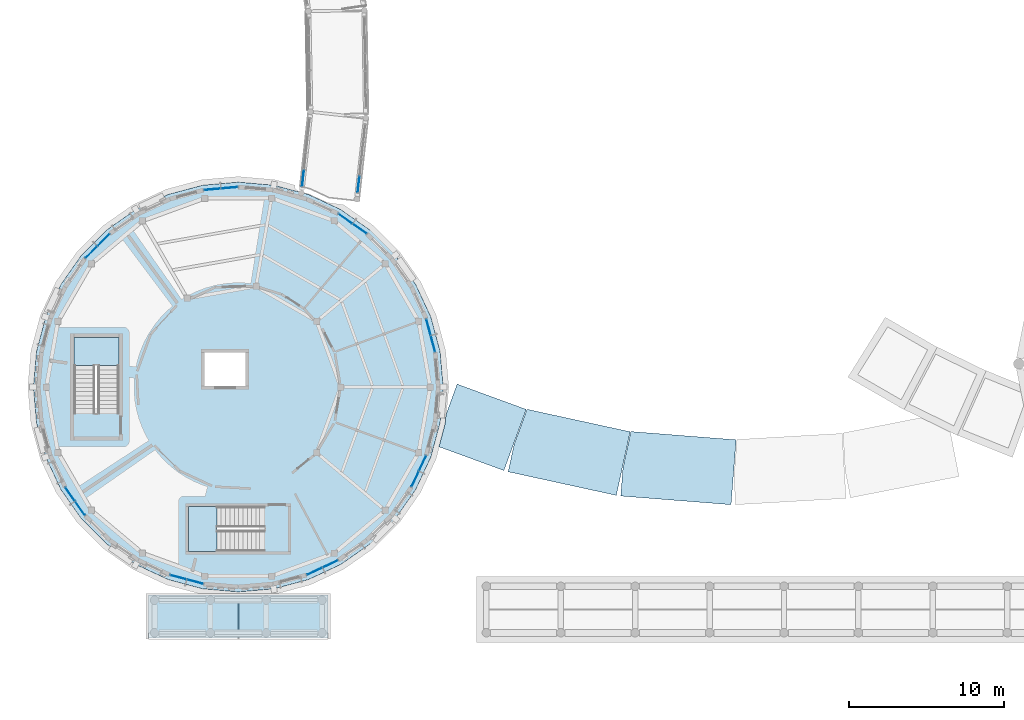
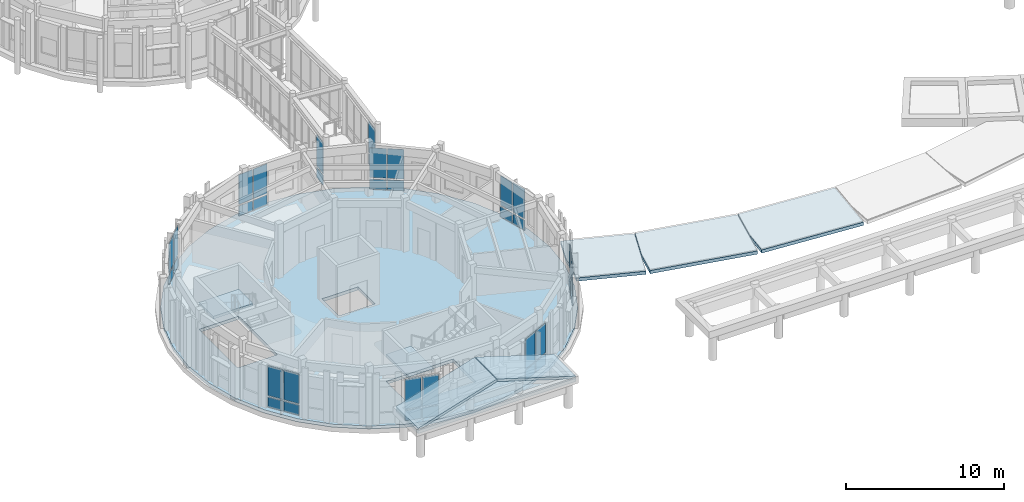
# One storey, part 30 of 80: 36 plates, 9 slabs, 12 elements without a shape of their own.
"""IFC4 building model written with IfcOpenShell, lengths in metres."""

from ifc_helpers import new_model, si_unit, direction, frame, origin, origin_2d, place, context, subcontext, project, spatial, polyline, rectangle, outline, extrude, material, layer, layer_set, type_object, element, aggregate, save


model = new_model("IFC4")

# Units and contexts
model_context = context("Model", 3, precision=1e-05, world=origin(), true_north=direction((0.0, 1.0)))
body_context = subcontext(model_context, "Body", "Model", "MODEL_VIEW")
ifc_project = project(units=[si_unit("LENGTHUNIT", "METRE"), si_unit("AREAUNIT", "SQUARE_METRE"), si_unit("VOLUMEUNIT", "CUBIC_METRE"), si_unit("PLANEANGLEUNIT", "RADIAN"), si_unit("MASSUNIT", "GRAM", prefix="KILO")], contexts=[model_context])

# Site, building, storey
site_placement = place(None, origin())
site = spatial("IfcSite", under=ifc_project, at=site_placement, CompositionType="ELEMENT")
building_placement = place(site_placement, origin())
building = spatial("IfcBuilding", under=site, at=building_placement, Name="Aldenvaro Health Centre", CompositionType="ELEMENT")
storey_placement = place(building_placement, frame((0.0, 0.0, 4.550048828125)))
storey = spatial("IfcBuildingStorey", under=building, at=storey_placement, Name="L01", CompositionType="ELEMENT", Elevation=4.550048828125)

# Curtain wall, plates
ifc_material_1 = material(Name="Anodised Aluminium 6063-T6", Category="aluminium")
ifc_layer_1 = layer(ifc_material_1, 0.195068359375, Name="Anodised Aluminium 6063-T6", Category="aluminium")
ifc_layer_set_1 = layer_set([ifc_layer_1], Name="Anodised Aluminium 6063-T6")
curtain_wall_type_1 = type_object("IfcCurtainWallType", Name="CW-CLN-02", PredefinedType="NOTDEFINED", material=ifc_layer_set_1)
curtain_wall_1_placement = place(storey_placement, origin())
curtain_wall_1 = element("IfcCurtainWall", 1, at=curtain_wall_1_placement, inside=storey, type_object=curtain_wall_type_1, Name="D5 L01 curtain wall bay 03", PredefinedType="NOTDEFINED")
ifc_material_2 = material(Name="Low-E Double Glazing IGU", Category="glass")
ifc_layer_2 = layer(ifc_material_2, 0.028076171875, Name="Low-E Double Glazing IGU", Category="glass")
ifc_layer_set_2 = layer_set([ifc_layer_2], Name="Low-E Double Glazing IGU")
plate_type_1 = type_object("IfcPlateType", Name="CWP-IGU-28", PredefinedType="CURTAIN_PANEL", material=ifc_layer_set_2)
plate_1_placement = place(storey_placement, frame((30.384033203125, 13.5791015625, 0.95947265625), z_axis=(0.0, 0.0, 1.0), x_axis=(-0.422495879545, -0.906364844733, 0.0)))
plate_1 = element("IfcPlate", 2, at=plate_1_placement, type_object=plate_type_1, Name="D5 L01 curtain wall bay 03 vision glazing 1", PredefinedType="CURTAIN_PANEL", context=body_context, shape_type="SweptSolid", body=[
    extrude(rectangle(XDim=1.053955078125, YDim=0.028076171875, at=origin_2d()), origin(), (0.0, 0.0, 1.0), 2.2890625),
])
plate_2_placement = place(storey_placement, frame((29.909912109375, 12.55908203125, 0.95947265625), z_axis=(0.0, 0.0, 1.0), x_axis=(-0.422495879545, -0.906364844733, 0.0)))
plate_2 = element("IfcPlate", 3, at=plate_2_placement, type_object=plate_type_1, Name="D5 L01 curtain wall bay 03 vision glazing 2", PredefinedType="CURTAIN_PANEL", context=body_context, shape_type="SweptSolid", body=[
    extrude(rectangle(XDim=1.053955078125, YDim=0.028076171875, at=origin_2d()), origin(), (0.0, 0.0, 1.0), 2.2890625),
])

curtain_wall_2_placement = place(storey_placement, origin())
curtain_wall_2 = element("IfcCurtainWall", 4, at=curtain_wall_2_placement, inside=storey, type_object=curtain_wall_type_1, Name="D5 L01 curtain wall bay 07", PredefinedType="NOTDEFINED")
plate_3_placement = place(storey_placement, frame((24.44091796875, 7.091064453125, 0.95947265625), z_axis=(0.0, 0.0, 1.0), x_axis=(-0.906364844733, -0.422495879545, 0.0)))
plate_3 = element("IfcPlate", 5, at=plate_3_placement, type_object=plate_type_1, Name="D5 L01 curtain wall bay 07 vision glazing 1", PredefinedType="CURTAIN_PANEL", context=body_context, shape_type="SweptSolid", body=[
    extrude(rectangle(XDim=1.053955078125, YDim=0.028076171875, at=origin_2d()), origin(), (0.0, 0.0, 1.0), 2.2890625),
])
plate_4_placement = place(storey_placement, frame((23.4208984375, 6.614990234375, 0.95947265625), z_axis=(0.0, 0.0, 1.0), x_axis=(-0.906364844733, -0.422495879545, 0.0)))
plate_4 = element("IfcPlate", 6, at=plate_4_placement, type_object=plate_type_1, Name="D5 L01 curtain wall bay 07 vision glazing 2", PredefinedType="CURTAIN_PANEL", context=body_context, shape_type="SweptSolid", body=[
    extrude(rectangle(XDim=1.053955078125, YDim=0.028076171875, at=origin_2d()), origin(), (0.0, 0.0, 1.0), 2.2890625),
])

curtain_wall_3_placement = place(storey_placement, origin())
curtain_wall_3 = element("IfcCurtainWall", 7, at=curtain_wall_3_placement, inside=storey, type_object=curtain_wall_type_1, Name="D5 L01 curtain wall bay 11", PredefinedType="NOTDEFINED")
plate_5_placement = place(storey_placement, frame((15.717041015625, 5.94189453125, 0.95947265625), z_axis=(0.0, 0.0, 1.0), x_axis=(-0.9659242304, 0.258825000966, 0.0)))
plate_5 = element("IfcPlate", 8, at=plate_5_placement, type_object=plate_type_1, Name="D5 L01 curtain wall bay 11 vision glazing 1", PredefinedType="CURTAIN_PANEL", context=body_context, shape_type="SweptSolid", body=[
    extrude(rectangle(XDim=1.053955078125, YDim=0.028076171875, at=origin_2d()), origin(), (0.0, 0.0, 1.0), 2.2890625),
])
plate_6_placement = place(storey_placement, frame((14.631103515625, 6.23193359375, 0.95947265625), z_axis=(0.0, 0.0, 1.0), x_axis=(-0.9659242304, 0.258825000966, 0.0)))
plate_6 = element("IfcPlate", 9, at=plate_6_placement, type_object=plate_type_1, Name="D5 L01 curtain wall bay 11 vision glazing 2", PredefinedType="CURTAIN_PANEL", context=body_context, shape_type="SweptSolid", body=[
    extrude(rectangle(XDim=1.053955078125, YDim=0.028076171875, at=origin_2d()), origin(), (0.0, 0.0, 1.0), 2.2890625),
])

curtain_wall_4_placement = place(storey_placement, origin())
curtain_wall_4 = element("IfcCurtainWall", 10, at=curtain_wall_4_placement, inside=storey, type_object=curtain_wall_type_1, Name="D5 L01 curtain wall bay 15", PredefinedType="NOTDEFINED")
plate_7_placement = place(storey_placement, frame((8.2958984375, 10.66796875, 0.95947265625), z_axis=(0.0, 0.0, 1.0), x_axis=(-0.573641397746, 0.819106553991, 0.0)))
plate_7 = element("IfcPlate", 11, at=plate_7_placement, type_object=plate_type_1, Name="D5 L01 curtain wall bay 15 vision glazing 1", PredefinedType="CURTAIN_PANEL", context=body_context, shape_type="SweptSolid", body=[
    extrude(rectangle(XDim=1.053955078125, YDim=0.028076171875, at=origin_2d()), origin(), (0.0, 0.0, 1.0), 2.2890625),
])
plate_8_placement = place(storey_placement, frame((7.65087890625, 11.590087890625, 0.95947265625), z_axis=(0.0, 0.0, 1.0), x_axis=(-0.573641397746, 0.819106553991, 0.0)))
plate_8 = element("IfcPlate", 12, at=plate_8_placement, type_object=plate_type_1, Name="D5 L01 curtain wall bay 15 vision glazing 2", PredefinedType="CURTAIN_PANEL", context=body_context, shape_type="SweptSolid", body=[
    extrude(rectangle(XDim=1.053955078125, YDim=0.028076171875, at=origin_2d()), origin(), (0.0, 0.0, 1.0), 2.2890625),
])

curtain_wall_5_placement = place(storey_placement, origin())
curtain_wall_5 = element("IfcCurtainWall", 13, at=curtain_wall_5_placement, inside=storey, type_object=curtain_wall_type_1, Name="D5 L01 curtain wall bay 23", PredefinedType="NOTDEFINED")
plate_9_placement = place(storey_placement, frame((9.014892578125, 27.18994140625, 0.95947265625), z_axis=(0.0, 0.0, 1.0), x_axis=(0.707106781187, 0.707106781187, 0.0)))
plate_9 = element("IfcPlate", 14, at=plate_9_placement, type_object=plate_type_1, Name="D5 L01 curtain wall bay 23 vision glazing 1", PredefinedType="CURTAIN_PANEL", context=body_context, shape_type="SweptSolid", body=[
    extrude(rectangle(XDim=1.053955078125, YDim=0.028076171875, at=origin_2d()), origin(), (0.0, 0.0, 1.0), 2.2890625),
])
plate_10_placement = place(storey_placement, frame((9.81103515625, 27.985107421875, 0.95947265625), z_axis=(0.0, 0.0, 1.0), x_axis=(0.707106781187, 0.707106781187, 0.0)))
plate_10 = element("IfcPlate", 15, at=plate_10_placement, type_object=plate_type_1, Name="D5 L01 curtain wall bay 23 vision glazing 2", PredefinedType="CURTAIN_PANEL", context=body_context, shape_type="SweptSolid", body=[
    extrude(rectangle(XDim=1.053955078125, YDim=0.028076171875, at=origin_2d()), origin(), (0.0, 0.0, 1.0), 2.2890625),
])

curtain_wall_6_placement = place(storey_placement, origin())
curtain_wall_6 = element("IfcCurtainWall", 16, at=curtain_wall_6_placement, inside=storey, type_object=curtain_wall_type_1, Name="D5 L01 curtain wall bay 27", PredefinedType="NOTDEFINED")
plate_11_placement = place(storey_placement, frame((16.820068359375, 31.2529296875, 0.95947265625), z_axis=(0.0, 0.0, 1.0), x_axis=(0.996193717495, 0.087166950289, 0.0)))
plate_11 = element("IfcPlate", 17, at=plate_11_placement, type_object=plate_type_1, Name="D5 L01 curtain wall bay 27 vision glazing 1", PredefinedType="CURTAIN_PANEL", context=body_context, shape_type="SweptSolid", body=[
    extrude(rectangle(XDim=1.053955078125, YDim=0.028076171875, at=origin_2d()), origin(), (0.0, 0.0, 1.0), 2.2890625),
])
plate_12_placement = place(storey_placement, frame((17.93994140625, 31.35107421875, 0.95947265625), z_axis=(0.0, 0.0, 1.0), x_axis=(0.996193717495, 0.087166950289, 0.0)))
plate_12 = element("IfcPlate", 18, at=plate_12_placement, type_object=plate_type_1, Name="D5 L01 curtain wall bay 27 vision glazing 2", PredefinedType="CURTAIN_PANEL", context=body_context, shape_type="SweptSolid", body=[
    extrude(rectangle(XDim=1.053955078125, YDim=0.028076171875, at=origin_2d()), origin(), (0.0, 0.0, 1.0), 2.2890625),
])

curtain_wall_7_placement = place(storey_placement, origin())
curtain_wall_7 = element("IfcCurtainWall", 19, at=curtain_wall_7_placement, inside=storey, type_object=curtain_wall_type_1, Name="D5 L01 curtain wall bay 31", PredefinedType="NOTDEFINED")
plate_13_placement = place(storey_placement, frame((25.409912109375, 29.34912109375, 0.95947265625), z_axis=(0.0, 0.0, 1.0), x_axis=(0.819106553991, -0.573641397746, 0.0)))
plate_13 = element("IfcPlate", 20, at=plate_13_placement, type_object=plate_type_1, Name="D5 L01 curtain wall bay 31 vision glazing 1", PredefinedType="CURTAIN_PANEL", context=body_context, shape_type="SweptSolid", body=[
    extrude(rectangle(XDim=1.053955078125, YDim=0.028076171875, at=origin_2d()), origin(), (0.0, 0.0, 1.0), 2.2890625),
])
plate_14_placement = place(storey_placement, frame((26.33203125, 28.705078125, 0.95947265625), z_axis=(0.0, 0.0, 1.0), x_axis=(0.819106553991, -0.573641397746, 0.0)))
plate_14 = element("IfcPlate", 21, at=plate_14_placement, type_object=plate_type_1, Name="D5 L01 curtain wall bay 31 vision glazing 2", PredefinedType="CURTAIN_PANEL", context=body_context, shape_type="SweptSolid", body=[
    extrude(rectangle(XDim=1.053955078125, YDim=0.028076171875, at=origin_2d()), origin(), (0.0, 0.0, 1.0), 2.2890625),
])

curtain_wall_8_placement = place(storey_placement, origin())
curtain_wall_8 = element("IfcCurtainWall", 22, at=curtain_wall_8_placement, inside=storey, type_object=curtain_wall_type_1, Name="D5 L01 curtain wall bay 35", PredefinedType="NOTDEFINED")
plate_15_placement = place(storey_placement, frame((30.76708984375, 22.368896484375, 0.95947265625), z_axis=(0.0, 0.0, 1.0), x_axis=(0.258825000966, -0.9659242304, 0.0)))
plate_15 = element("IfcPlate", 23, at=plate_15_placement, type_object=plate_type_1, Name="D5 L01 curtain wall bay 35 vision glazing 1", PredefinedType="CURTAIN_PANEL", context=body_context, shape_type="SweptSolid", body=[
    extrude(rectangle(XDim=1.053955078125, YDim=0.028076171875, at=origin_2d()), origin(), (0.0, 0.0, 1.0), 2.2890625),
])
plate_16_placement = place(storey_placement, frame((31.05810546875, 21.282958984375, 0.95947265625), z_axis=(0.0, 0.0, 1.0), x_axis=(0.258825000966, -0.9659242304, 0.0)))
plate_16 = element("IfcPlate", 24, at=plate_16_placement, type_object=plate_type_1, Name="D5 L01 curtain wall bay 35 vision glazing 2", PredefinedType="CURTAIN_PANEL", context=body_context, shape_type="SweptSolid", body=[
    extrude(rectangle(XDim=1.053955078125, YDim=0.028076171875, at=origin_2d()), origin(), (0.0, 0.0, 1.0), 2.2890625),
])

# Curtain wall, plate
ifc_layer_3 = layer(ifc_material_1, 0.2099609375, Name="Anodised Aluminium 6063-T6", Category="aluminium")
ifc_layer_set_3 = layer_set([ifc_layer_3], Name="Anodised Aluminium 6063-T6")
curtain_wall_type_2 = type_object("IfcCurtainWallType", Name="CW-BRG-03", PredefinedType="NOTDEFINED", material=ifc_layer_set_3)
curtain_wall_9_placement = place(storey_placement, origin())
curtain_wall_9 = element("IfcCurtainWall", 25, at=curtain_wall_9_placement, inside=storey, type_object=curtain_wall_type_2, Name="West South Curved Garden Walkway Arc 1 L01 glazed link wall L-1.1", PredefinedType="NOTDEFINED")
plate_17_placement = place(storey_placement, frame((22.678955078125, 31.97705078125, 0.9599609375), z_axis=(0.0, 0.0, 1.0), x_axis=(0.11038207653, 0.993889227822, 0.0)))
plate_17 = element("IfcPlate", 26, at=plate_17_placement, type_object=plate_type_1, Name="West South Curved Garden Walkway Arc 1 L01 glazed link wall L-1.1 vision glazing 1", PredefinedType="CURTAIN_PANEL", context=body_context, shape_type="SweptSolid", body=[
    extrude(rectangle(XDim=1.0400390625, YDim=0.028076171875, at=origin_2d()), origin(), (0.0, 0.0, 1.0), 2.389892578125),
])

curtain_wall_10_placement = place(storey_placement, origin())
curtain_wall_10 = element("IfcCurtainWall", 27, at=curtain_wall_10_placement, inside=storey, type_object=curtain_wall_type_2, Name="West South Curved Garden Walkway Arc 1 L01 glazed link wall R-1.1", PredefinedType="NOTDEFINED")
plate_18_placement = place(storey_placement, frame((26.257080078125, 31.5810546875, 0.9599609375), z_axis=(0.0, 0.0, 1.0), x_axis=(0.11038207653, 0.993889227822, 0.0)))
plate_18 = element("IfcPlate", 28, at=plate_18_placement, type_object=plate_type_1, Name="West South Curved Garden Walkway Arc 1 L01 glazed link wall R-1.1 vision glazing 1", PredefinedType="CURTAIN_PANEL", context=body_context, shape_type="SweptSolid", body=[
    extrude(rectangle(XDim=1.0400390625, YDim=0.028076171875, at=origin_2d()), origin(), (0.0, 0.0, 1.0), 2.389892578125),
])

# Plate
ifc_material_3 = material(Name="Insulated Aluminium Spandrel", Category="aluminium")
ifc_layer_4 = layer(ifc_material_3, 0.035888671875, Name="Insulated Aluminium Spandrel", Category="aluminium")
ifc_layer_set_4 = layer_set([ifc_layer_4], Name="Insulated Aluminium Spandrel")
plate_type_2 = type_object("IfcPlateType", Name="CWP-SPN-36", PredefinedType="CURTAIN_PANEL", material=ifc_layer_set_4)
plate_19_placement = place(storey_placement, frame((30.384033203125, 13.5791015625, 0.06005859375), z_axis=(0.0, 0.0, 1.0), x_axis=(-0.422495879545, -0.906364844733, 0.0)))
plate_19 = element("IfcPlate", 29, at=plate_19_placement, type_object=plate_type_2, Name="D5 L01 curtain wall bay 03 spandrel panel 1", PredefinedType="CURTAIN_PANEL", context=body_context, shape_type="SweptSolid", body=[
    extrude(rectangle(XDim=1.053955078125, YDim=0.035888671875, at=origin_2d()), origin(), (0.0, 0.0, 1.0), 0.780029296875),
])

plate_20_placement = place(storey_placement, frame((29.909912109375, 12.55908203125, 0.06005859375), z_axis=(0.0, 0.0, 1.0), x_axis=(-0.422495879545, -0.906364844733, 0.0)))
plate_20 = element("IfcPlate", 30, at=plate_20_placement, type_object=plate_type_2, Name="D5 L01 curtain wall bay 03 spandrel panel 2", PredefinedType="CURTAIN_PANEL", context=body_context, shape_type="SweptSolid", body=[
    extrude(rectangle(XDim=1.053955078125, YDim=0.035888671875, at=origin_2d()), origin(), (0.0, 0.0, 1.0), 0.780029296875),
])

aggregate(curtain_wall_1, [plate_19, plate_1, plate_20, plate_2])

plate_21_placement = place(storey_placement, frame((24.44091796875, 7.091064453125, 0.06005859375), z_axis=(0.0, 0.0, 1.0), x_axis=(-0.906364844733, -0.422495879545, 0.0)))
plate_21 = element("IfcPlate", 31, at=plate_21_placement, type_object=plate_type_2, Name="D5 L01 curtain wall bay 07 spandrel panel 1", PredefinedType="CURTAIN_PANEL", context=body_context, shape_type="SweptSolid", body=[
    extrude(rectangle(XDim=1.053955078125, YDim=0.035888671875, at=origin_2d()), origin(), (0.0, 0.0, 1.0), 0.780029296875),
])

plate_22_placement = place(storey_placement, frame((23.4208984375, 6.614990234375, 0.06005859375), z_axis=(0.0, 0.0, 1.0), x_axis=(-0.906364844733, -0.422495879545, 0.0)))
plate_22 = element("IfcPlate", 32, at=plate_22_placement, type_object=plate_type_2, Name="D5 L01 curtain wall bay 07 spandrel panel 2", PredefinedType="CURTAIN_PANEL", context=body_context, shape_type="SweptSolid", body=[
    extrude(rectangle(XDim=1.053955078125, YDim=0.035888671875, at=origin_2d()), origin(), (0.0, 0.0, 1.0), 0.780029296875),
])

aggregate(curtain_wall_2, [plate_21, plate_3, plate_22, plate_4])

plate_23_placement = place(storey_placement, frame((15.717041015625, 5.94189453125, 0.06005859375), z_axis=(0.0, 0.0, 1.0), x_axis=(-0.9659242304, 0.258825000966, 0.0)))
plate_23 = element("IfcPlate", 33, at=plate_23_placement, type_object=plate_type_2, Name="D5 L01 curtain wall bay 11 spandrel panel 1", PredefinedType="CURTAIN_PANEL", context=body_context, shape_type="SweptSolid", body=[
    extrude(rectangle(XDim=1.053955078125, YDim=0.035888671875, at=origin_2d()), origin(), (0.0, 0.0, 1.0), 0.780029296875),
])

plate_24_placement = place(storey_placement, frame((14.631103515625, 6.23193359375, 0.06005859375), z_axis=(0.0, 0.0, 1.0), x_axis=(-0.9659242304, 0.258825000966, 0.0)))
plate_24 = element("IfcPlate", 34, at=plate_24_placement, type_object=plate_type_2, Name="D5 L01 curtain wall bay 11 spandrel panel 2", PredefinedType="CURTAIN_PANEL", context=body_context, shape_type="SweptSolid", body=[
    extrude(rectangle(XDim=1.053955078125, YDim=0.035888671875, at=origin_2d()), origin(), (0.0, 0.0, 1.0), 0.780029296875),
])

aggregate(curtain_wall_3, [plate_23, plate_5, plate_24, plate_6])

plate_25_placement = place(storey_placement, frame((8.2958984375, 10.66796875, 0.06005859375), z_axis=(0.0, 0.0, 1.0), x_axis=(-0.573641397746, 0.819106553991, 0.0)))
plate_25 = element("IfcPlate", 35, at=plate_25_placement, type_object=plate_type_2, Name="D5 L01 curtain wall bay 15 spandrel panel 1", PredefinedType="CURTAIN_PANEL", context=body_context, shape_type="SweptSolid", body=[
    extrude(rectangle(XDim=1.053955078125, YDim=0.035888671875, at=origin_2d()), origin(), (0.0, 0.0, 1.0), 0.780029296875),
])

plate_26_placement = place(storey_placement, frame((7.65087890625, 11.590087890625, 0.06005859375), z_axis=(0.0, 0.0, 1.0), x_axis=(-0.573641397746, 0.819106553991, 0.0)))
plate_26 = element("IfcPlate", 36, at=plate_26_placement, type_object=plate_type_2, Name="D5 L01 curtain wall bay 15 spandrel panel 2", PredefinedType="CURTAIN_PANEL", context=body_context, shape_type="SweptSolid", body=[
    extrude(rectangle(XDim=1.053955078125, YDim=0.035888671875, at=origin_2d()), origin(), (0.0, 0.0, 1.0), 0.780029296875),
])

aggregate(curtain_wall_4, [plate_25, plate_7, plate_26, plate_8])

plate_27_placement = place(storey_placement, frame((9.014892578125, 27.18994140625, 0.06005859375), z_axis=(0.0, 0.0, 1.0), x_axis=(0.707106781187, 0.707106781187, 0.0)))
plate_27 = element("IfcPlate", 37, at=plate_27_placement, type_object=plate_type_2, Name="D5 L01 curtain wall bay 23 spandrel panel 1", PredefinedType="CURTAIN_PANEL", context=body_context, shape_type="SweptSolid", body=[
    extrude(rectangle(XDim=1.053955078125, YDim=0.035888671875, at=origin_2d()), origin(), (0.0, 0.0, 1.0), 0.780029296875),
])

plate_28_placement = place(storey_placement, frame((9.81103515625, 27.985107421875, 0.06005859375), z_axis=(0.0, 0.0, 1.0), x_axis=(0.707106781187, 0.707106781187, 0.0)))
plate_28 = element("IfcPlate", 38, at=plate_28_placement, type_object=plate_type_2, Name="D5 L01 curtain wall bay 23 spandrel panel 2", PredefinedType="CURTAIN_PANEL", context=body_context, shape_type="SweptSolid", body=[
    extrude(rectangle(XDim=1.053955078125, YDim=0.035888671875, at=origin_2d()), origin(), (0.0, 0.0, 1.0), 0.780029296875),
])

aggregate(curtain_wall_5, [plate_27, plate_9, plate_28, plate_10])

plate_29_placement = place(storey_placement, frame((16.820068359375, 31.2529296875, 0.06005859375), z_axis=(0.0, 0.0, 1.0), x_axis=(0.996193717495, 0.087166950289, 0.0)))
plate_29 = element("IfcPlate", 39, at=plate_29_placement, type_object=plate_type_2, Name="D5 L01 curtain wall bay 27 spandrel panel 1", PredefinedType="CURTAIN_PANEL", context=body_context, shape_type="SweptSolid", body=[
    extrude(rectangle(XDim=1.053955078125, YDim=0.035888671875, at=origin_2d()), origin(), (0.0, 0.0, 1.0), 0.780029296875),
])

plate_30_placement = place(storey_placement, frame((17.93994140625, 31.35107421875, 0.06005859375), z_axis=(0.0, 0.0, 1.0), x_axis=(0.996193717495, 0.087166950289, 0.0)))
plate_30 = element("IfcPlate", 40, at=plate_30_placement, type_object=plate_type_2, Name="D5 L01 curtain wall bay 27 spandrel panel 2", PredefinedType="CURTAIN_PANEL", context=body_context, shape_type="SweptSolid", body=[
    extrude(rectangle(XDim=1.053955078125, YDim=0.035888671875, at=origin_2d()), origin(), (0.0, 0.0, 1.0), 0.780029296875),
])

aggregate(curtain_wall_6, [plate_29, plate_11, plate_30, plate_12])

plate_31_placement = place(storey_placement, frame((25.409912109375, 29.34912109375, 0.06005859375), z_axis=(0.0, 0.0, 1.0), x_axis=(0.819106553991, -0.573641397746, 0.0)))
plate_31 = element("IfcPlate", 41, at=plate_31_placement, type_object=plate_type_2, Name="D5 L01 curtain wall bay 31 spandrel panel 1", PredefinedType="CURTAIN_PANEL", context=body_context, shape_type="SweptSolid", body=[
    extrude(rectangle(XDim=1.053955078125, YDim=0.035888671875, at=origin_2d()), origin(), (0.0, 0.0, 1.0), 0.780029296875),
])

plate_32_placement = place(storey_placement, frame((26.33203125, 28.705078125, 0.06005859375), z_axis=(0.0, 0.0, 1.0), x_axis=(0.819106553991, -0.573641397746, 0.0)))
plate_32 = element("IfcPlate", 42, at=plate_32_placement, type_object=plate_type_2, Name="D5 L01 curtain wall bay 31 spandrel panel 2", PredefinedType="CURTAIN_PANEL", context=body_context, shape_type="SweptSolid", body=[
    extrude(rectangle(XDim=1.053955078125, YDim=0.035888671875, at=origin_2d()), origin(), (0.0, 0.0, 1.0), 0.780029296875),
])

aggregate(curtain_wall_7, [plate_31, plate_13, plate_32, plate_14])

plate_33_placement = place(storey_placement, frame((30.76708984375, 22.368896484375, 0.06005859375), z_axis=(0.0, 0.0, 1.0), x_axis=(0.258825000966, -0.9659242304, 0.0)))
plate_33 = element("IfcPlate", 43, at=plate_33_placement, type_object=plate_type_2, Name="D5 L01 curtain wall bay 35 spandrel panel 1", PredefinedType="CURTAIN_PANEL", context=body_context, shape_type="SweptSolid", body=[
    extrude(rectangle(XDim=1.053955078125, YDim=0.035888671875, at=origin_2d()), origin(), (0.0, 0.0, 1.0), 0.780029296875),
])

plate_34_placement = place(storey_placement, frame((31.05810546875, 21.282958984375, 0.06005859375), z_axis=(0.0, 0.0, 1.0), x_axis=(0.258825000966, -0.9659242304, 0.0)))
plate_34 = element("IfcPlate", 44, at=plate_34_placement, type_object=plate_type_2, Name="D5 L01 curtain wall bay 35 spandrel panel 2", PredefinedType="CURTAIN_PANEL", context=body_context, shape_type="SweptSolid", body=[
    extrude(rectangle(XDim=1.053955078125, YDim=0.035888671875, at=origin_2d()), origin(), (0.0, 0.0, 1.0), 0.780029296875),
])

aggregate(curtain_wall_8, [plate_33, plate_15, plate_34, plate_16])

plate_35_placement = place(storey_placement, frame((22.678955078125, 31.97705078125, 0.06005859375), z_axis=(0.0, 0.0, 1.0), x_axis=(0.11038207653, 0.993889227822, 0.0)))
plate_35 = element("IfcPlate", 45, at=plate_35_placement, type_object=plate_type_2, Name="West South Curved Garden Walkway Arc 1 L01 glazed link wall L-1.1 spandrel panel 1", PredefinedType="CURTAIN_PANEL", context=body_context, shape_type="SweptSolid", body=[
    extrude(rectangle(XDim=1.0400390625, YDim=0.035888671875, at=origin_2d()), origin(), (0.0, 0.0, 1.0), 0.780029296875),
])

aggregate(curtain_wall_9, [plate_35, plate_17])

plate_36_placement = place(storey_placement, frame((26.257080078125, 31.5810546875, 0.06005859375), z_axis=(0.0, 0.0, 1.0), x_axis=(0.11038207653, 0.993889227822, 0.0)))
plate_36 = element("IfcPlate", 46, at=plate_36_placement, type_object=plate_type_2, Name="West South Curved Garden Walkway Arc 1 L01 glazed link wall R-1.1 spandrel panel 1", PredefinedType="CURTAIN_PANEL", context=body_context, shape_type="SweptSolid", body=[
    extrude(rectangle(XDim=1.0400390625, YDim=0.035888671875, at=origin_2d()), origin(), (0.0, 0.0, 1.0), 0.780029296875),
])

aggregate(curtain_wall_10, [plate_36, plate_18])

# Slab
ifc_material_4 = material(Name="Cross-laminated timber CLT E1", Category="wood")
ifc_layer_5 = layer(ifc_material_4, 0.2451171875, Name="Cross-laminated timber CLT E1", Category="wood")
ifc_layer_set_5 = layer_set([ifc_layer_5], Name="Cross-laminated timber CLT E1")
slab_type_1 = type_object("IfcSlabType", Name="SLB-CLT-245", PredefinedType="FLOOR", material=ifc_layer_set_5)
slab_1_placement = place(storey_placement, frame((0.0, 0.0, -0.2451171875)))
element("IfcSlab", 47, at=slab_1_placement, inside=storey, type_object=slab_type_1, Name="D5 L01 floor slab", PredefinedType="FLOOR", context=body_context, shape_type="SweptSolid", body=[
    extrude(outline(polyline([(31.719970703125, 18.5), (31.51904296875, 20.7958984375), (30.923095703125, 23.02197265625), (29.948974609375, 25.110107421875), (28.626953125, 26.998046875), (26.998046875, 28.626953125), (25.110107421875, 29.948974609375), (23.02197265625, 30.923095703125), (20.7958984375, 31.51904296875), (18.5, 31.719970703125), (16.2041015625, 31.51904296875), (13.97802734375, 30.923095703125), (11.889892578125, 29.948974609375), (10.001953125, 28.626953125), (8.373046875, 26.998046875), (7.051025390625, 25.110107421875), (6.076904296875, 23.02197265625), (5.48095703125, 20.7958984375), (5.280029296875, 18.5), (5.48095703125, 16.2041015625), (6.076904296875, 13.97802734375), (7.051025390625, 11.889892578125), (8.373046875, 10.001953125), (10.001953125, 8.373046875), (11.889892578125, 7.051025390625), (13.97802734375, 6.076904296875), (16.2041015625, 5.48095703125), (18.5, 5.280029296875), (20.7958984375, 5.48095703125), (23.02197265625, 6.076904296875), (25.110107421875, 7.051025390625), (26.998046875, 8.373046875), (28.626953125, 10.001953125), (29.948974609375, 11.889892578125), (30.923095703125, 13.97802734375), (31.51904296875, 16.2041015625), (31.719970703125, 18.5)]), holes=[polyline([(10.800048828125, 16.800048828125), (10.800048828125, 21.699951171875), (7.89990234375, 21.699951171875), (7.89990234375, 16.800048828125), (10.800048828125, 16.800048828125)]), polyline([(20.199951171875, 10.800048828125), (15.300048828125, 10.800048828125), (15.300048828125, 7.89990234375), (20.199951171875, 7.89990234375), (20.199951171875, 10.800048828125)]), polyline([(16.324951171875, 18.574951171875), (18.97509765625, 18.574951171875), (18.97509765625, 20.72509765625), (16.324951171875, 20.72509765625), (16.324951171875, 18.574951171875)])]), origin(), (0.0, 0.0, 1.0), 0.2451171875),
])

# Stair, slab
ifc_material_5 = material(Name="Concrete f'c 40 MPa", Category="concrete")
stair_type = type_object("IfcStairType", Name="STR-DOG-420", PredefinedType="HALF_TURN_STAIR", material=ifc_material_5)
stair_1_placement = place(storey_placement, origin())
stair_1 = element("IfcStair", 48, at=stair_1_placement, inside=storey, type_object=stair_type, Name="L01 Exit Stair ST-09", PredefinedType="HALF_TURN_STAIR")
ifc_layer_6 = layer(ifc_material_5, 0.199951171875, Name="Concrete f'c 40 MPa", Category="concrete")
ifc_layer_set_6 = layer_set([ifc_layer_6], Name="Concrete f'c 40 MPa")
slab_type_2 = type_object("IfcSlabType", Name="SLB-LND-200", PredefinedType="LANDING", material=ifc_layer_set_6)
slab_2_placement = place(storey_placement, frame((0.0, 0.0, 1.89990234375)))
slab_2 = element("IfcSlab", 49, at=slab_2_placement, type_object=slab_type_2, Name="ST-09 landing 1", PredefinedType="LANDING", context=body_context, shape_type="SweptSolid", body=[
    extrude(outline(polyline([(10.800048828125, 19.8798828125), (10.800048828125, 21.699951171875), (7.89990234375, 21.699951171875), (7.89990234375, 19.8798828125), (10.800048828125, 19.8798828125)])), origin(), (0.0, 0.0, 1.0), 0.199951171875),
])
aggregate(stair_1, [slab_2])

stair_2_placement = place(storey_placement, origin())
stair_2 = element("IfcStair", 50, at=stair_2_placement, inside=storey, type_object=stair_type, Name="L01 Exit Stair ST-10", PredefinedType="HALF_TURN_STAIR")
slab_3_placement = place(storey_placement, frame((0.0, 0.0, 1.89990234375)))
slab_3 = element("IfcSlab", 51, at=slab_3_placement, type_object=slab_type_2, Name="ST-10 landing 1", PredefinedType="LANDING", context=body_context, shape_type="SweptSolid", body=[
    extrude(outline(polyline([(17.1201171875, 10.800048828125), (15.300048828125, 10.800048828125), (15.300048828125, 7.89990234375), (17.1201171875, 7.89990234375), (17.1201171875, 10.800048828125)])), origin(), (0.0, 0.0, 1.0), 0.199951171875),
])
aggregate(stair_2, [slab_3])

# Slabs
ifc_layer_7 = layer(ifc_material_4, 0.195068359375, Name="Cross-laminated timber CLT E1", Category="wood")
ifc_layer_set_7 = layer_set([ifc_layer_7], Name="Cross-laminated timber CLT E1")
slab_type_3 = type_object("IfcSlabType", Name="SLB-ROOF-195", PredefinedType="ROOF", material=ifc_layer_set_7)
for number, where, z_axis, x_axis, name in (
    (52, (12.719970703125, 2.300048828125, 2.409912109375), (-0.297240682512, 0.0, 0.954802585177), (0.954802585177, 0.0, 0.297240682512), "Pavilion Portico W5 Pediment Deck W"),
    (53, (18.530029296875, 2.300048828125, 4.199951171875), (0.297240682512, 0.0, 0.954802585177), (0.954802585177, 0.0, -0.297240682512), "Pavilion Portico W5 Pediment Deck E"),
):
    element("IfcSlab", number, at=place(storey_placement, frame(where, z_axis=z_axis, x_axis=x_axis)), inside=storey, type_object=slab_type_3, Name=name, PredefinedType="ROOF", context=body_context, shape_type="SweptSolid", body=[
        extrude(outline(polyline([(0.0, 0.0), (6.022187297425734, 0.0), (6.022187297425734, 2.800048828125), (0.0, 2.800048828125), (0.0, 0.0)])), origin(), (0.0, 0.0, -1.0), 0.195068359375),
    ])
ifc_layer_8 = layer(ifc_material_5, 0.25, Name="Concrete f'c 40 MPa", Category="concrete")
ifc_layer_set_8 = layer_set([ifc_layer_8], Name="Concrete f'c 40 MPa")
slab_type_4 = type_object("IfcSlabType", Name="SLB-ROOF-250", PredefinedType="ROOF", material=ifc_layer_set_8)
slab_4_placement = place(storey_placement, frame((0.0, 0.0, -0.25)))
element("IfcSlab", 54, at=slab_4_placement, inside=storey, type_object=slab_type_4, Name="South West Curved Peristyle Walkway Arc 1 roof slab", PredefinedType="ROOF", context=body_context, shape_type="SweptSolid", body=[
    extrude(outline(polyline([(32.614990234375, 18.68896484375), (37.074951171875, 17.056884765625), (35.631103515625, 13.113037109375), (31.44189453125, 14.64599609375), (31.843994140625, 16.14697265625), (31.89404296875, 16.717041015625), (32.614990234375, 18.68896484375)])), origin(), (0.0, 0.0, 1.0), 0.25),
])
slab_5_placement = place(storey_placement, frame((0.0, 0.0, -0.25)))
element("IfcSlab", 55, at=slab_5_placement, inside=storey, type_object=slab_type_4, Name="South West Curved Peristyle Walkway Arc 2 roof slab", PredefinedType="ROOF", context=body_context, shape_type="SweptSolid", body=[
    extrude(outline(polyline([(43.779052734375, 15.614990234375), (42.883056640625, 11.510986328125), (35.905029296875, 13.032958984375), (36.2900390625, 14.797119140625), (37.12109375, 17.06689453125), (43.779052734375, 15.614990234375)])), origin(), (0.0, 0.0, 1.0), 0.25),
])
slab_6_placement = place(storey_placement, frame((0.0, 0.0, -0.25)))
element("IfcSlab", 56, at=slab_6_placement, inside=storey, type_object=slab_type_4, Name="South West Curved Peristyle Walkway Arc 3 roof slab", PredefinedType="ROOF", context=body_context, shape_type="SweptSolid", body=[
    extrude(outline(polyline([(50.614990234375, 15.096923828125), (50.284912109375, 10.908935546875), (43.166015625, 11.468994140625), (43.30810546875, 13.27001953125), (43.822998046875, 15.631103515625), (50.614990234375, 15.096923828125)])), origin(), (0.0, 0.0, 1.0), 0.25),
])
slab_7_placement = place(storey_placement, frame((0.0, 0.0, 2.0)))
element("IfcSlab", 57, at=slab_7_placement, inside=storey, type_object=slab_type_4, Name="Pavilion Tetrastyle Portico W5 Cornice Deck", PredefinedType="ROOF", context=body_context, shape_type="SweptSolid", body=[
    extrude(outline(polyline([(12.719970703125, 2.300048828125), (24.280029296875, 2.300048828125), (24.280029296875, 5.10009765625), (12.719970703125, 5.10009765625), (12.719970703125, 2.300048828125)])), origin(), (0.0, 0.0, 1.0), 0.25),
])

save(model, "model.ifc")
